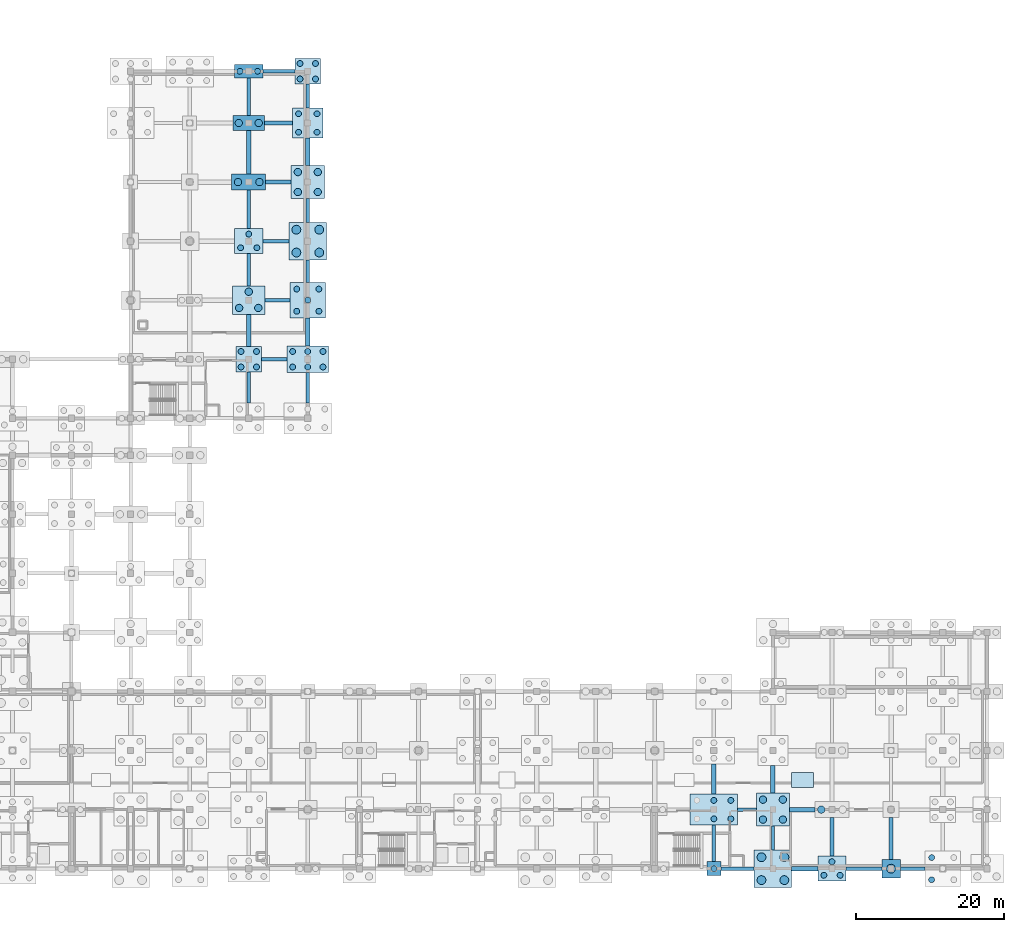
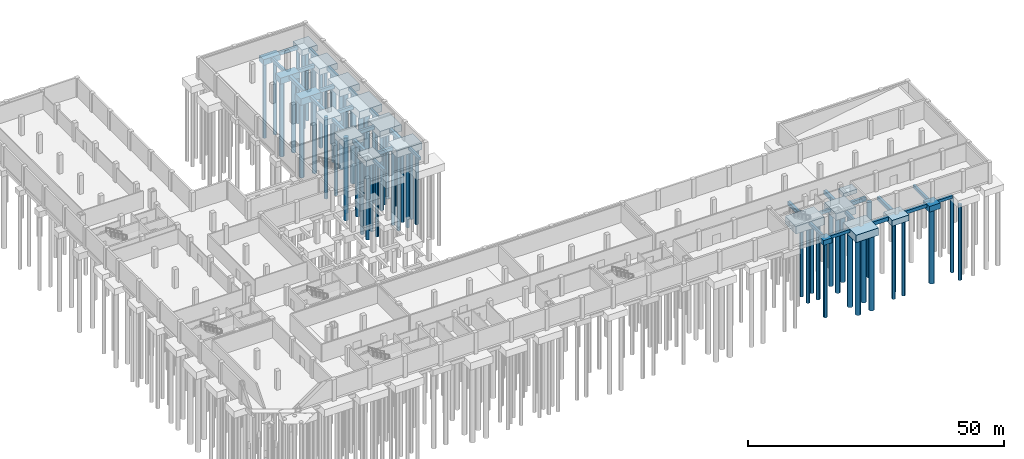
# One storey, part 8 of 26: 63 piles, 49 footings.
"""IFC4 building model written with IfcOpenShell, lengths in metres."""

from ifc_helpers import new_model, si_unit, direction, frame, origin, origin_2d, place, context, subcontext, project, spatial, rectangle, circle, extrude, material, layer, layer_set, material_profile, profile_set, type_object, element, save


model = new_model("IFC4")

# Units and contexts
model_context = context("Model", 3, precision=1e-05, world=origin(), true_north=direction((0.0, 1.0)))
body_context = subcontext(model_context, "Body", "Model", "MODEL_VIEW")
ifc_project = project(units=[si_unit("LENGTHUNIT", "METRE"), si_unit("AREAUNIT", "SQUARE_METRE"), si_unit("VOLUMEUNIT", "CUBIC_METRE"), si_unit("PLANEANGLEUNIT", "RADIAN"), si_unit("MASSUNIT", "GRAM", prefix="KILO")], contexts=[model_context])

# Site, building, storey
site_placement = place(None, origin())
site = spatial("IfcSite", under=ifc_project, at=site_placement, CompositionType="ELEMENT")
building_placement = place(site_placement, origin())
building = spatial("IfcBuilding", under=site, at=building_placement, Name="Qorikala Patio Media Centre", CompositionType="ELEMENT")
storey_placement = place(building_placement, frame((0.0, 0.0, -4.5)))
storey = spatial("IfcBuildingStorey", under=building, at=storey_placement, Name="B1", CompositionType="ELEMENT", Elevation=-4.5)

# Footings
ifc_material = material(Name="Concrete C30/37", Category="concrete")
ifc_material_profile_1 = material_profile(ifc_material, rectangle(XDim=0.449951171875, YDim=0.699951171875, at=origin_2d()), Name="RC 450x700")
ifc_profile_set_1 = profile_set([ifc_material_profile_1], Name="Concrete C30/37")
footing_type_1 = type_object("IfcFootingType", Name="GB-450X700", PredefinedType="FOOTING_BEAM", material=ifc_profile_set_1)
footing_1_placement = place(storey_placement, frame((130.949951171875, 3.0, -0.949951171875), z_axis=(1.0, 0.0, 0.0), x_axis=(0.0, 1.0, 0.0)))
element("IfcFooting", 1, at=footing_1_placement, inside=storey, type_object=footing_type_1, Name="Ground Tie Beam X-017", PredefinedType="FOOTING_BEAM", context=body_context, shape_type="SweptSolid", body=[
    extrude(rectangle(XDim=0.449951171875, YDim=0.699951171875, at=origin_2d()), origin(), (0.0, 0.0, 1.0), 4.5),
])
footing_2_placement = place(storey_placement, frame((155.25, 3.0, -0.949951171875), z_axis=(1.0, 0.0, 0.0), x_axis=(0.0, 1.0, 0.0)))
element("IfcFooting", 2, at=footing_2_placement, inside=storey, type_object=footing_type_1, Name="Ground Tie Beam X-020", PredefinedType="FOOTING_BEAM", context=body_context, shape_type="SweptSolid", body=[
    extrude(rectangle(XDim=0.449951171875, YDim=0.699951171875, at=origin_2d()), origin(), (0.0, 0.0, 1.0), 3.35009765625),
])
footing_3_placement = place(storey_placement, frame((133.199951171875, 11.0, -0.949951171875), z_axis=(1.0, 0.0, 0.0), x_axis=(0.0, 1.0, 0.0)))
element("IfcFooting", 3, at=footing_3_placement, inside=storey, type_object=footing_type_1, Name="Ground Tie Beam X-038", PredefinedType="FOOTING_BEAM", context=body_context, shape_type="SweptSolid", body=[
    extrude(rectangle(XDim=0.449951171875, YDim=0.699951171875, at=origin_2d()), origin(), (0.0, 0.0, 1.0), 2.550048828125),
])
footing_4_placement = place(storey_placement, frame((67.0, 66.050048828125, -0.949951171875), z_axis=(0.0, 1.0, 0.0), x_axis=(-1.0, 0.0, 0.0)))
element("IfcFooting", 4, at=footing_4_placement, inside=storey, type_object=footing_type_1, Name="Ground Tie Beam Y-275", PredefinedType="FOOTING_BEAM", context=body_context, shape_type="SweptSolid", body=[
    extrude(rectangle(XDim=0.449951171875, YDim=0.699951171875, at=origin_2d()), origin(), (0.0, 0.0, 1.0), 4.199951171875),
])
footing_5_placement = place(storey_placement, frame((67.0, 89.699951171875, -0.949951171875), z_axis=(0.0, 1.0, 0.0), x_axis=(-1.0, 0.0, 0.0)))
element("IfcFooting", 5, at=footing_5_placement, inside=storey, type_object=footing_type_1, Name="Ground Tie Beam Y-278", PredefinedType="FOOTING_BEAM", context=body_context, shape_type="SweptSolid", body=[
    extrude(rectangle(XDim=0.449951171875, YDim=0.699951171875, at=origin_2d()), origin(), (0.0, 0.0, 1.0), 5.199951171875),
])
footing_6_placement = place(storey_placement, frame((75.0, 66.10009765625, -0.949951171875), z_axis=(0.0, 1.0, 0.0), x_axis=(-1.0, 0.0, 0.0)))
element("IfcFooting", 6, at=footing_6_placement, inside=storey, type_object=footing_type_1, Name="Ground Tie Beam Y-284", PredefinedType="FOOTING_BEAM", context=body_context, shape_type="SweptSolid", body=[
    extrude(rectangle(XDim=0.449951171875, YDim=0.699951171875, at=origin_2d()), origin(), (0.0, 0.0, 1.0), 4.099853515625),
])
footing_7_placement = place(storey_placement, frame((75.0, 90.550048828125, -0.949951171875), z_axis=(0.0, 1.0, 0.0), x_axis=(-1.0, 0.0, 0.0)))
element("IfcFooting", 7, at=footing_7_placement, inside=storey, type_object=footing_type_1, Name="Ground Tie Beam Y-287", PredefinedType="FOOTING_BEAM", context=body_context, shape_type="SweptSolid", body=[
    extrude(rectangle(XDim=0.449951171875, YDim=0.699951171875, at=origin_2d()), origin(), (0.0, 0.0, 1.0), 3.199951171875),
])
footing_8_placement = place(storey_placement, frame((130.0, 3.949951171875, -0.949951171875), z_axis=(0.0, 1.0, 0.0), x_axis=(-1.0, 0.0, 0.0)))
element("IfcFooting", 8, at=footing_8_placement, inside=storey, type_object=footing_type_1, Name="Ground Tie Beam Y-308", PredefinedType="FOOTING_BEAM", context=body_context, shape_type="SweptSolid", body=[
    extrude(rectangle(XDim=0.449951171875, YDim=0.699951171875, at=origin_2d()), origin(), (0.0, 0.0, 1.0), 4.949951171875),
])
footing_9_placement = place(storey_placement, frame((138.0, 5.550048828125, -0.949951171875), z_axis=(0.0, 1.0, 0.0), x_axis=(-1.0, 0.0, 0.0)))
element("IfcFooting", 9, at=footing_9_placement, inside=storey, type_object=footing_type_1, Name="Ground Tie Beam Y-311", PredefinedType="FOOTING_BEAM", context=body_context, shape_type="SweptSolid", body=[
    extrude(rectangle(XDim=0.449951171875, YDim=0.699951171875, at=origin_2d()), origin(), (0.0, 0.0, 1.0), 3.199951171875),
])
ifc_material_profile_2 = material_profile(ifc_material, rectangle(XDim=0.5, YDim=0.800048828125, at=origin_2d()), Name="RC 500x800")
ifc_profile_set_2 = profile_set([ifc_material_profile_2], Name="Concrete C30/37")
footing_type_2 = type_object("IfcFootingType", Name="GB-500X800", PredefinedType="FOOTING_BEAM", material=ifc_profile_set_2)
footing_10_placement = place(storey_placement, frame((147.89990234375, 3.0, -1.0), z_axis=(1.0, 0.0, 0.0), x_axis=(0.0, 1.0, 0.0)))
element("IfcFooting", 10, at=footing_10_placement, inside=storey, type_object=footing_type_2, Name="Ground Tie Beam X-019", PredefinedType="FOOTING_BEAM", context=body_context, shape_type="SweptSolid", body=[
    extrude(rectangle(XDim=0.5, YDim=0.800048828125, at=origin_2d()), origin(), (0.0, 0.0, 1.0), 4.85009765625),
])
footing_11_placement = place(storey_placement, frame((68.75, 72.0, -1.0), z_axis=(1.0, 0.0, 0.0), x_axis=(0.0, 1.0, 0.0)))
element("IfcFooting", 11, at=footing_11_placement, inside=storey, type_object=footing_type_2, Name="Ground Tie Beam X-133", PredefinedType="FOOTING_BEAM", context=body_context, shape_type="SweptSolid", body=[
    extrude(rectangle(XDim=0.5, YDim=0.800048828125, at=origin_2d()), origin(), (0.0, 0.0, 1.0), 3.449951171875),
])
footing_12_placement = place(storey_placement, frame((69.199951171875, 80.0, -1.0), z_axis=(1.0, 0.0, 0.0), x_axis=(0.0, 1.0, 0.0)))
element("IfcFooting", 12, at=footing_12_placement, inside=storey, type_object=footing_type_2, Name="Ground Tie Beam X-139", PredefinedType="FOOTING_BEAM", context=body_context, shape_type="SweptSolid", body=[
    extrude(rectangle(XDim=0.5, YDim=0.800048828125, at=origin_2d()), origin(), (0.0, 0.0, 1.0), 3.400146484375),
])
footing_13_placement = place(storey_placement, frame((68.89990234375, 88.0, -1.0), z_axis=(1.0, 0.0, 0.0), x_axis=(0.0, 1.0, 0.0)))
element("IfcFooting", 13, at=footing_13_placement, inside=storey, type_object=footing_type_2, Name="Ground Tie Beam X-145", PredefinedType="FOOTING_BEAM", context=body_context, shape_type="SweptSolid", body=[
    extrude(rectangle(XDim=0.5, YDim=0.800048828125, at=origin_2d()), origin(), (0.0, 0.0, 1.0), 3.550048828125),
])
footing_14_placement = place(storey_placement, frame((69.300048828125, 96.0, -1.0), z_axis=(1.0, 0.0, 0.0), x_axis=(0.0, 1.0, 0.0)))
element("IfcFooting", 14, at=footing_14_placement, inside=storey, type_object=footing_type_2, Name="Ground Tie Beam X-151", PredefinedType="FOOTING_BEAM", context=body_context, shape_type="SweptSolid", body=[
    extrude(rectangle(XDim=0.5, YDim=0.800048828125, at=origin_2d()), origin(), (0.0, 0.0, 1.0), 3.449951171875),
])
footing_15_placement = place(storey_placement, frame((69.14990234375, 104.0, -1.0), z_axis=(1.0, 0.0, 0.0), x_axis=(0.0, 1.0, 0.0)))
element("IfcFooting", 15, at=footing_15_placement, inside=storey, type_object=footing_type_2, Name="Ground Tie Beam X-157", PredefinedType="FOOTING_BEAM", context=body_context, shape_type="SweptSolid", body=[
    extrude(rectangle(XDim=0.5, YDim=0.800048828125, at=origin_2d()), origin(), (0.0, 0.0, 1.0), 3.800048828125),
])
for number, where, z_axis, x_axis, name in (
    (16, (68.89990234375, 111.0, -1.0), (1.0, 0.0, 0.0), (0.0, 1.0, 0.0), "Ground Tie Beam X-163"),
    (17, (67.0, 81.949951171875, -1.0), (0.0, 1.0, 0.0), (-1.0, 0.0, 0.0), "Ground Tie Beam Y-277"),
):
    element("IfcFooting", number, at=place(storey_placement, frame(where, z_axis=z_axis, x_axis=x_axis)), inside=storey, type_object=footing_type_2, Name=name, PredefinedType="FOOTING_BEAM", context=body_context, shape_type="SweptSolid", body=[
        extrude(rectangle(XDim=0.5, YDim=0.800048828125, at=origin_2d()), origin(), (0.0, 0.0, 1.0), 4.35009765625),
    ])
footing_16_placement = place(storey_placement, frame((67.0, 105.0, -1.0), z_axis=(0.0, 1.0, 0.0), x_axis=(-1.0, 0.0, 0.0)))
element("IfcFooting", 18, at=footing_16_placement, inside=storey, type_object=footing_type_2, Name="Ground Tie Beam Y-280", PredefinedType="FOOTING_BEAM", context=body_context, shape_type="SweptSolid", body=[
    extrude(rectangle(XDim=0.5, YDim=0.800048828125, at=origin_2d()), origin(), (0.0, 0.0, 1.0), 5.10009765625),
])
footing_17_placement = place(storey_placement, frame((75.0, 82.39990234375, -1.0), z_axis=(0.0, 1.0, 0.0), x_axis=(-1.0, 0.0, 0.0)))
element("IfcFooting", 19, at=footing_17_placement, inside=storey, type_object=footing_type_2, Name="Ground Tie Beam Y-286", PredefinedType="FOOTING_BEAM", context=body_context, shape_type="SweptSolid", body=[
    extrude(rectangle(XDim=0.5, YDim=0.800048828125, at=origin_2d()), origin(), (0.0, 0.0, 1.0), 3.050048828125),
])
footing_18_placement = place(storey_placement, frame((75.0, 106.050048828125, -1.0), z_axis=(0.0, 1.0, 0.0), x_axis=(-1.0, 0.0, 0.0)))
element("IfcFooting", 20, at=footing_18_placement, inside=storey, type_object=footing_type_2, Name="Ground Tie Beam Y-289", PredefinedType="FOOTING_BEAM", context=body_context, shape_type="SweptSolid", body=[
    extrude(rectangle(XDim=0.5, YDim=0.800048828125, at=origin_2d()), origin(), (0.0, 0.0, 1.0), 3.199951171875),
])
footing_19_placement = place(storey_placement, frame((154.0, 4.25, -1.0), z_axis=(0.0, 1.0, 0.0), x_axis=(-1.0, 0.0, 0.0)))
element("IfcFooting", 21, at=footing_19_placement, inside=storey, type_object=footing_type_2, Name="Ground Tie Beam Y-319", PredefinedType="FOOTING_BEAM", context=body_context, shape_type="SweptSolid", body=[
    extrude(rectangle(XDim=0.5, YDim=0.800048828125, at=origin_2d()), origin(), (0.0, 0.0, 1.0), 5.64990234375),
])
ifc_material_profile_3 = material_profile(ifc_material, rectangle(XDim=0.60009765625, YDim=0.89990234375, at=origin_2d()), Name="RC 600x900")
ifc_profile_set_3 = profile_set([ifc_material_profile_3], Name="Concrete C30/37")
footing_type_3 = type_object("IfcFootingType", Name="GB-600X900", PredefinedType="FOOTING_BEAM", material=ifc_profile_set_3)
footing_20_placement = place(storey_placement, frame((140.550048828125, 3.0, -1.050048828125), z_axis=(1.0, 0.0, 0.0), x_axis=(0.0, 1.0, 0.0)))
element("IfcFooting", 22, at=footing_20_placement, inside=storey, type_object=footing_type_3, Name="Ground Tie Beam X-018", PredefinedType="FOOTING_BEAM", context=body_context, shape_type="SweptSolid", body=[
    extrude(rectangle(XDim=0.60009765625, YDim=0.89990234375, at=origin_2d()), origin(), (0.0, 0.0, 1.0), 3.550048828125),
])
footing_21_placement = place(storey_placement, frame((140.25, 11.0, -1.050048828125), z_axis=(1.0, 0.0, 0.0), x_axis=(0.0, 1.0, 0.0)))
element("IfcFooting", 23, at=footing_21_placement, inside=storey, type_object=footing_type_3, Name="Ground Tie Beam X-039", PredefinedType="FOOTING_BEAM", context=body_context, shape_type="SweptSolid", body=[
    extrude(rectangle(XDim=0.60009765625, YDim=0.89990234375, at=origin_2d()), origin(), (0.0, 0.0, 1.0), 3.449951171875),
])
footing_22_placement = place(storey_placement, frame((67.0, 73.75, -1.050048828125), z_axis=(0.0, 1.0, 0.0), x_axis=(-1.0, 0.0, 0.0)))
element("IfcFooting", 24, at=footing_22_placement, inside=storey, type_object=footing_type_3, Name="Ground Tie Beam Y-276", PredefinedType="FOOTING_BEAM", context=body_context, shape_type="SweptSolid", body=[
    extrude(rectangle(XDim=0.60009765625, YDim=0.89990234375, at=origin_2d()), origin(), (0.0, 0.0, 1.0), 4.300048828125),
])
footing_23_placement = place(storey_placement, frame((67.0, 97.10009765625, -1.050048828125), z_axis=(0.0, 1.0, 0.0), x_axis=(-1.0, 0.0, 0.0)))
element("IfcFooting", 25, at=footing_23_placement, inside=storey, type_object=footing_type_3, Name="Ground Tie Beam Y-279", PredefinedType="FOOTING_BEAM", context=body_context, shape_type="SweptSolid", body=[
    extrude(rectangle(XDim=0.60009765625, YDim=0.89990234375, at=origin_2d()), origin(), (0.0, 0.0, 1.0), 5.89990234375),
])
footing_24_placement = place(storey_placement, frame((75.0, 73.800048828125, -1.050048828125), z_axis=(0.0, 1.0, 0.0), x_axis=(-1.0, 0.0, 0.0)))
element("IfcFooting", 26, at=footing_24_placement, inside=storey, type_object=footing_type_3, Name="Ground Tie Beam Y-285", PredefinedType="FOOTING_BEAM", context=body_context, shape_type="SweptSolid", body=[
    extrude(rectangle(XDim=0.60009765625, YDim=0.89990234375, at=origin_2d()), origin(), (0.0, 0.0, 1.0), 3.800048828125),
])
footing_25_placement = place(storey_placement, frame((75.0, 98.25, -1.050048828125), z_axis=(0.0, 1.0, 0.0), x_axis=(-1.0, 0.0, 0.0)))
element("IfcFooting", 27, at=footing_25_placement, inside=storey, type_object=footing_type_3, Name="Ground Tie Beam Y-288", PredefinedType="FOOTING_BEAM", context=body_context, shape_type="SweptSolid", body=[
    extrude(rectangle(XDim=0.60009765625, YDim=0.89990234375, at=origin_2d()), origin(), (0.0, 0.0, 1.0), 3.699951171875),
])
footing_26_placement = place(storey_placement, frame((130.0, 13.10009765625, -1.050048828125), z_axis=(0.0, 1.0, 0.0), x_axis=(-1.0, 0.0, 0.0)))
element("IfcFooting", 28, at=footing_26_placement, inside=storey, type_object=footing_type_3, Name="Ground Tie Beam Y-309", PredefinedType="FOOTING_BEAM", context=body_context, shape_type="SweptSolid", body=[
    extrude(rectangle(XDim=0.60009765625, YDim=0.89990234375, at=origin_2d()), origin(), (0.0, 0.0, 1.0), 4.099853515625),
])
footing_27_placement = place(storey_placement, frame((138.0, 13.25, -1.050048828125), z_axis=(0.0, 1.0, 0.0), x_axis=(-1.0, 0.0, 0.0)))
element("IfcFooting", 29, at=footing_27_placement, inside=storey, type_object=footing_type_3, Name="Ground Tie Beam Y-312", PredefinedType="FOOTING_BEAM", context=body_context, shape_type="SweptSolid", body=[
    extrude(rectangle(XDim=0.60009765625, YDim=0.89990234375, at=origin_2d()), origin(), (0.0, 0.0, 1.0), 3.699951171875),
])
footing_28_placement = place(storey_placement, frame((146.0, 4.699951171875, -1.050048828125), z_axis=(0.0, 1.0, 0.0), x_axis=(-1.0, 0.0, 0.0)))
element("IfcFooting", 30, at=footing_28_placement, inside=storey, type_object=footing_type_3, Name="Ground Tie Beam Y-315", PredefinedType="FOOTING_BEAM", context=body_context, shape_type="SweptSolid", body=[
    extrude(rectangle(XDim=0.60009765625, YDim=0.89990234375, at=origin_2d()), origin(), (0.0, 0.0, 1.0), 5.199951171875),
])
ifc_layer_1 = layer(ifc_material, 1.14990234375)
ifc_layer_set_1 = layer_set([ifc_layer_1], Name="Concrete C30/37")
footing_type_4 = type_object("IfcFootingType", Name="PC-1A", PredefinedType="PILE_CAP", material=ifc_layer_set_1)
footing_29_placement = place(storey_placement, frame((130.0, 3.0, -1.75), z_axis=(0.0, 0.0, 1.0), x_axis=(1.0, 0.0, 0.0)))
element("IfcFooting", 31, at=footing_29_placement, inside=storey, type_object=footing_type_4, Name="Pile Cap PC-1A at (130.0,3.0)", PredefinedType="PILE_CAP", context=body_context, shape_type="SweptSolid", body=[
    extrude(rectangle(XDim=1.89990234375, YDim=1.89990234375, at=origin_2d()), origin(), (0.0, 0.0, 1.0), 1.14990234375),
])
ifc_layer_2 = layer(ifc_material, 1.35009765625)
ifc_layer_set_2 = layer_set([ifc_layer_2], Name="Concrete C30/37")
footing_type_5 = type_object("IfcFootingType", Name="PC-1C", PredefinedType="PILE_CAP", material=ifc_layer_set_2)
footing_30_placement = place(storey_placement, frame((154.0, 3.0, -1.949951171875), z_axis=(0.0, 0.0, 1.0), x_axis=(1.0, 0.0, 0.0)))
element("IfcFooting", 32, at=footing_30_placement, inside=storey, type_object=footing_type_5, Name="Pile Cap PC-1C at (154.0,3.0)", PredefinedType="PILE_CAP", context=body_context, shape_type="SweptSolid", body=[
    extrude(rectangle(XDim=2.5, YDim=2.5, at=origin_2d()), origin(), (0.0, 0.0, 1.0), 1.35009765625),
])
ifc_layer_3 = layer(ifc_material, 1.35009765625)
ifc_layer_set_3 = layer_set([ifc_layer_3], Name="Concrete C30/37")
footing_type_6 = type_object("IfcFootingType", Name="PC-2B", PredefinedType="PILE_CAP", material=ifc_layer_set_3)
footing_31_placement = place(storey_placement, frame((67.0, 111.0, -1.949951171875), z_axis=(0.0, 0.0, 1.0), x_axis=(1.0, 0.0, 0.0)))
element("IfcFooting", 33, at=footing_31_placement, inside=storey, type_object=footing_type_6, Name="Pile Cap PC-2B at (67.0,111.0)", PredefinedType="PILE_CAP", context=body_context, shape_type="SweptSolid", body=[
    extrude(rectangle(XDim=3.800048828125, YDim=1.800048828125, at=origin_2d()), origin(), (0.0, 0.0, 1.0), 1.35009765625),
])
ifc_layer_4 = layer(ifc_material, 1.449951171875)
ifc_layer_set_4 = layer_set([ifc_layer_4], Name="Concrete C30/37")
footing_type_7 = type_object("IfcFootingType", Name="PC-2C", PredefinedType="PILE_CAP", material=ifc_layer_set_4)
footing_32_placement = place(storey_placement, frame((67.0, 104.0, -2.0498046875), z_axis=(0.0, 0.0, 1.0), x_axis=(1.0, 0.0, 0.0)))
element("IfcFooting", 34, at=footing_32_placement, inside=storey, type_object=footing_type_7, Name="Pile Cap PC-2C at (67.0,104.0)", PredefinedType="PILE_CAP", context=body_context, shape_type="SweptSolid", body=[
    extrude(rectangle(XDim=4.300048828125, YDim=2.0, at=origin_2d()), origin(), (0.0, 0.0, 1.0), 1.449951171875),
])
ifc_layer_5 = layer(ifc_material, 1.550048828125)
ifc_layer_set_5 = layer_set([ifc_layer_5], Name="Concrete C30/37")
footing_type_8 = type_object("IfcFootingType", Name="PC-2D", PredefinedType="PILE_CAP", material=ifc_layer_set_5)
footing_33_placement = place(storey_placement, frame((67.0, 96.0, -2.14990234375), z_axis=(0.0, 0.0, 1.0), x_axis=(1.0, 0.0, 0.0)))
element("IfcFooting", 35, at=footing_33_placement, inside=storey, type_object=footing_type_8, Name="Pile Cap PC-2D at (67.0,96.0)", PredefinedType="PILE_CAP", context=body_context, shape_type="SweptSolid", body=[
    extrude(rectangle(XDim=4.60009765625, YDim=2.199951171875, at=origin_2d()), origin(), (0.0, 0.0, 1.0), 1.550048828125),
])
ifc_layer_6 = layer(ifc_material, 1.39990234375)
ifc_layer_set_6 = layer_set([ifc_layer_6], Name="Concrete C30/37")
footing_type_9 = type_object("IfcFootingType", Name="PC-3A", PredefinedType="PILE_CAP", material=ifc_layer_set_6)
for number, where, z_axis, x_axis, name in (
    (36, (67.0, 88.0, -2.0), (0.0, 0.0, 1.0), (1.0, 0.0, 0.0), "Pile Cap PC-3A at (67.0,88.0)"),
    (37, (146.0, 3.0, -2.0), (0.0, 0.0, 1.0), (1.0, 0.0, 0.0), "Pile Cap PC-3A at (146.0,3.0)"),
):
    element("IfcFooting", number, at=place(storey_placement, frame(where, z_axis=z_axis, x_axis=x_axis)), inside=storey, type_object=footing_type_9, Name=name, PredefinedType="PILE_CAP", context=body_context, shape_type="SweptSolid", body=[
        extrude(rectangle(XDim=3.800048828125, YDim=3.39990234375, at=origin_2d()), origin(), (0.0, 0.0, 1.0), 1.39990234375),
    ])
ifc_layer_7 = layer(ifc_material, 1.5)
ifc_layer_set_7 = layer_set([ifc_layer_7], Name="Concrete C30/37")
footing_type_10 = type_object("IfcFootingType", Name="PC-3B", PredefinedType="PILE_CAP", material=ifc_layer_set_7)
footing_34_placement = place(storey_placement, frame((67.0, 80.0, -2.10009765625), z_axis=(0.0, 0.0, 1.0), x_axis=(1.0, 0.0, 0.0)))
element("IfcFooting", 38, at=footing_34_placement, inside=storey, type_object=footing_type_10, Name="Pile Cap PC-3B at (67.0,80.0)", PredefinedType="PILE_CAP", context=body_context, shape_type="SweptSolid", body=[
    extrude(rectangle(XDim=4.39990234375, YDim=3.89990234375, at=origin_2d()), origin(), (0.0, 0.0, 1.0), 1.5),
])
ifc_layer_8 = layer(ifc_material, 1.39990234375)
ifc_layer_set_8 = layer_set([ifc_layer_8], Name="Concrete C30/37")
footing_type_11 = type_object("IfcFootingType", Name="PC-4A", PredefinedType="PILE_CAP", material=ifc_layer_set_8)
for number, where, z_axis, x_axis, name in (
    (39, (67.0, 72.0, -2.0), (0.0, 0.0, 1.0), (1.0, 0.0, 0.0), "Pile Cap PC-4A at (67.0,72.0)"),
    (40, (75.0, 111.0, -2.0), (0.0, 0.0, 1.0), (1.0, 0.0, 0.0), "Pile Cap PC-4A at (75.0,111.0)"),
):
    element("IfcFooting", number, at=place(storey_placement, frame(where, z_axis=z_axis, x_axis=x_axis)), inside=storey, type_object=footing_type_11, Name=name, PredefinedType="PILE_CAP", context=body_context, shape_type="SweptSolid", body=[
        extrude(rectangle(XDim=3.5, YDim=3.5, at=origin_2d()), origin(), (0.0, 0.0, 1.0), 1.39990234375),
    ])
ifc_layer_9 = layer(ifc_material, 1.5)
ifc_layer_set_9 = layer_set([ifc_layer_9], Name="Concrete C30/37")
footing_type_12 = type_object("IfcFootingType", Name="PC-4B", PredefinedType="PILE_CAP", material=ifc_layer_set_9)
footing_35_placement = place(storey_placement, frame((75.0, 104.0, -2.10009765625), z_axis=(0.0, 0.0, 1.0), x_axis=(1.0, 0.0, 0.0)))
element("IfcFooting", 41, at=footing_35_placement, inside=storey, type_object=footing_type_12, Name="Pile Cap PC-4B at (75.0,104.0)", PredefinedType="PILE_CAP", context=body_context, shape_type="SweptSolid", body=[
    extrude(rectangle(XDim=4.10009765625, YDim=4.10009765625, at=origin_2d()), origin(), (0.0, 0.0, 1.0), 1.5),
])
ifc_layer_10 = layer(ifc_material, 1.60009765625)
ifc_layer_set_10 = layer_set([ifc_layer_10], Name="Concrete C30/37")
footing_type_13 = type_object("IfcFootingType", Name="PC-4C", PredefinedType="PILE_CAP", material=ifc_layer_set_10)
for number, where, z_axis, x_axis, name in (
    (42, (75.0, 96.0, -2.199951171875), (0.0, 0.0, 1.0), (1.0, 0.0, 0.0), "Pile Cap PC-4C at (75.0,96.0)"),
    (43, (138.0, 11.0, -2.199951171875), (0.0, 0.0, 1.0), (1.0, 0.0, 0.0), "Pile Cap PC-4C at (138.0,11.0)"),
):
    element("IfcFooting", number, at=place(storey_placement, frame(where, z_axis=z_axis, x_axis=x_axis)), inside=storey, type_object=footing_type_13, Name=name, PredefinedType="PILE_CAP", context=body_context, shape_type="SweptSolid", body=[
        extrude(rectangle(XDim=4.5, YDim=4.5, at=origin_2d()), origin(), (0.0, 0.0, 1.0), 1.60009765625),
    ])
ifc_layer_11 = layer(ifc_material, 1.75)
ifc_layer_set_11 = layer_set([ifc_layer_11], Name="Concrete C30/37")
footing_type_14 = type_object("IfcFootingType", Name="PC-4D", PredefinedType="PILE_CAP", material=ifc_layer_set_11)
for number, where, z_axis, x_axis, name in (
    (44, (75.0, 88.0, -2.35009765625), (0.0, 0.0, 1.0), (1.0, 0.0, 0.0), "Pile Cap PC-4D at (75.0,88.0)"),
    (45, (138.0, 3.0, -2.35009765625), (0.0, 0.0, 1.0), (1.0, 0.0, 0.0), "Pile Cap PC-4D at (138.0,3.0)"),
):
    element("IfcFooting", number, at=place(storey_placement, frame(where, z_axis=z_axis, x_axis=x_axis)), inside=storey, type_object=footing_type_14, Name=name, PredefinedType="PILE_CAP", context=body_context, shape_type="SweptSolid", body=[
        extrude(rectangle(XDim=5.10009765625, YDim=5.10009765625, at=origin_2d()), origin(), (0.0, 0.0, 1.0), 1.75),
    ])
ifc_layer_12 = layer(ifc_material, 1.64990234375)
ifc_layer_set_12 = layer_set([ifc_layer_12], Name="Concrete C30/37")
footing_type_15 = type_object("IfcFootingType", Name="PC-5A", PredefinedType="PILE_CAP", material=ifc_layer_set_12)
footing_36_placement = place(storey_placement, frame((75.0, 80.0, -2.25), z_axis=(0.0, 0.0, 1.0), x_axis=(1.0, 0.0, 0.0)))
element("IfcFooting", 46, at=footing_36_placement, inside=storey, type_object=footing_type_15, Name="Pile Cap PC-5A at (75.0,80.0)", PredefinedType="PILE_CAP", context=body_context, shape_type="SweptSolid", body=[
    extrude(rectangle(XDim=4.800048828125, YDim=4.800048828125, at=origin_2d()), origin(), (0.0, 0.0, 1.0), 1.64990234375),
])
ifc_layer_13 = layer(ifc_material, 1.64990234375)
ifc_layer_set_13 = layer_set([ifc_layer_13], Name="Concrete C30/37")
footing_type_16 = type_object("IfcFootingType", Name="PC-6A", PredefinedType="PILE_CAP", material=ifc_layer_set_13)
footing_37_placement = place(storey_placement, frame((75.0, 72.0, -2.25), z_axis=(0.0, 0.0, 1.0), x_axis=(1.0, 0.0, 0.0)))
element("IfcFooting", 47, at=footing_37_placement, inside=storey, type_object=footing_type_16, Name="Pile Cap PC-6A at (75.0,72.0)", PredefinedType="PILE_CAP", context=body_context, shape_type="SweptSolid", body=[
    extrude(rectangle(XDim=5.60009765625, YDim=3.60009765625, at=origin_2d()), origin(), (0.0, 0.0, 1.0), 1.64990234375),
])
ifc_layer_14 = layer(ifc_material, 1.800048828125)
ifc_layer_set_14 = layer_set([ifc_layer_14], Name="Concrete C30/37")
footing_type_17 = type_object("IfcFootingType", Name="PC-6B", PredefinedType="PILE_CAP", material=ifc_layer_set_14)
footing_38_placement = place(storey_placement, frame((130.0, 11.0, -2.39990234375), z_axis=(0.0, 0.0, 1.0), x_axis=(1.0, 0.0, 0.0)))
element("IfcFooting", 48, at=footing_38_placement, inside=storey, type_object=footing_type_17, Name="Pile Cap PC-6B at (130.0,11.0)", PredefinedType="PILE_CAP", context=body_context, shape_type="SweptSolid", body=[
    extrude(rectangle(XDim=6.39990234375, YDim=4.199951171875, at=origin_2d()), origin(), (0.0, 0.0, 1.0), 1.800048828125),
])
ifc_layer_15 = layer(ifc_material, 0.89990234375)
ifc_layer_set_15 = layer_set([ifc_layer_15], Name="Concrete C30/37")
footing_type_18 = type_object("IfcFootingType", Name="PF-300", PredefinedType="PAD_FOOTING", material=ifc_layer_set_15)
footing_39_placement = place(storey_placement, frame((142.0, 15.0, -1.5), z_axis=(0.0, 0.0, 1.0), x_axis=(1.0, 0.0, 0.0)))
element("IfcFooting", 49, at=footing_39_placement, inside=storey, type_object=footing_type_18, Name="Courtyard Pad Footing 08", PredefinedType="PAD_FOOTING", context=body_context, shape_type="SweptSolid", body=[
    extrude(rectangle(XDim=3.0, YDim=2.0, at=origin_2d()), origin(), (0.0, 0.0, 1.0), 0.89990234375),
])

# Piles
ifc_material_profile_4 = material_profile(ifc_material, circle(Radius=0.5, at=origin_2d()), Name="BORED PILE 1000")
ifc_profile_set_4 = profile_set([ifc_material_profile_4], Name="Concrete C30/37")
pile_type_1 = type_object("IfcPileType", Name="PILE-1000", PredefinedType="BORED", material=ifc_profile_set_4)
for number, where, z_axis, x_axis, name in (
    (50, (65.699951171875, 78.949951171875, -2.0), (0.0, 0.0, -1.0), (1.0, 0.0, 0.0), "Bored Pile 0383"),
    (51, (68.300048828125, 78.949951171875, -2.0), (0.0, 0.0, -1.0), (1.0, 0.0, 0.0), "Bored Pile 0384"),
    (52, (67.0, 81.14990234375, -2.0), (0.0, 0.0, -1.0), (1.0, 0.0, 0.0), "Bored Pile 0385"),
    (53, (65.550048828125, 96.0, -2.050048828125), (0.0, 0.0, -1.0), (1.0, 0.0, 0.0), "Bored Pile 0389"),
    (54, (68.449951171875, 96.0, -2.050048828125), (0.0, 0.0, -1.0), (1.0, 0.0, 0.0), "Bored Pile 0390"),
    (55, (65.64990234375, 104.0, -1.949951171875), (0.0, 0.0, -1.0), (1.0, 0.0, 0.0), "Bored Pile 0391"),
    (56, (68.35009765625, 104.0, -1.949951171875), (0.0, 0.0, -1.0), (1.0, 0.0, 0.0), "Bored Pile 0392"),
    (57, (73.64990234375, 94.64990234375, -2.10009765625), (0.0, 0.0, -1.0), (1.0, 0.0, 0.0), "Bored Pile 0421"),
    (58, (76.35009765625, 94.64990234375, -2.10009765625), (0.0, 0.0, -1.0), (1.0, 0.0, 0.0), "Bored Pile 0422"),
    (59, (73.64990234375, 97.35009765625, -2.10009765625), (0.0, 0.0, -1.0), (1.0, 0.0, 0.0), "Bored Pile 0423"),
    (60, (76.35009765625, 97.35009765625, -2.10009765625), (0.0, 0.0, -1.0), (1.0, 0.0, 0.0), "Bored Pile 0424"),
    (61, (136.64990234375, 9.64990234375, -2.10009765625), (0.0, 0.0, -1.0), (1.0, 0.0, 0.0), "Bored Pile 0521"),
    (62, (139.35009765625, 9.64990234375, -2.10009765625), (0.0, 0.0, -1.0), (1.0, 0.0, 0.0), "Bored Pile 0522"),
    (63, (136.64990234375, 12.35009765625, -2.10009765625), (0.0, 0.0, -1.0), (1.0, 0.0, 0.0), "Bored Pile 0523"),
    (64, (139.35009765625, 12.35009765625, -2.10009765625), (0.0, 0.0, -1.0), (1.0, 0.0, 0.0), "Bored Pile 0524"),
    (65, (144.550048828125, 11.0, -2.050048828125), (0.0, 0.0, -1.0), (1.0, 0.0, 0.0), "Bored Pile 0539"),
):
    element("IfcPile", number, at=place(storey_placement, frame(where, z_axis=z_axis, x_axis=x_axis)), inside=storey, type_object=pile_type_1, Name=name, PredefinedType="BORED", context=body_context, shape_type="SweptSolid", body=[
        extrude(circle(Radius=0.5, at=origin_2d()), origin(), (0.0, 0.0, 1.0), 18.0),
    ])
ifc_material_profile_5 = material_profile(ifc_material, circle(Radius=0.60009765625, at=origin_2d()), Name="BORED PILE 1200")
ifc_profile_set_5 = profile_set([ifc_material_profile_5], Name="Concrete C30/37")
pile_type_2 = type_object("IfcPileType", Name="PILE-1200", PredefinedType="BORED", material=ifc_profile_set_5)
for number, where, z_axis, x_axis, name in (
    (66, (73.449951171875, 86.449951171875, -2.25), (0.0, 0.0, -1.0), (1.0, 0.0, 0.0), "Bored Pile 0417"),
    (67, (76.550048828125, 86.449951171875, -2.25), (0.0, 0.0, -1.0), (1.0, 0.0, 0.0), "Bored Pile 0418"),
    (68, (73.449951171875, 89.550048828125, -2.25), (0.0, 0.0, -1.0), (1.0, 0.0, 0.0), "Bored Pile 0419"),
    (69, (76.550048828125, 89.550048828125, -2.25), (0.0, 0.0, -1.0), (1.0, 0.0, 0.0), "Bored Pile 0420"),
    (70, (136.449951171875, 1.449951171875, -2.25), (0.0, 0.0, -1.0), (1.0, 0.0, 0.0), "Bored Pile 0517"),
    (71, (139.550048828125, 1.449951171875, -2.25), (0.0, 0.0, -1.0), (1.0, 0.0, 0.0), "Bored Pile 0518"),
    (72, (136.449951171875, 4.550048828125, -2.25), (0.0, 0.0, -1.0), (1.0, 0.0, 0.0), "Bored Pile 0519"),
    (73, (139.550048828125, 4.550048828125, -2.25), (0.0, 0.0, -1.0), (1.0, 0.0, 0.0), "Bored Pile 0520"),
    (74, (154.0, 3.0, -1.85009765625), (0.0, 0.0, -1.0), (1.0, 0.0, 0.0), "Bored Pile 0547"),
):
    element("IfcPile", number, at=place(storey_placement, frame(where, z_axis=z_axis, x_axis=x_axis)), inside=storey, type_object=pile_type_2, Name=name, PredefinedType="BORED", context=body_context, shape_type="SweptSolid", body=[
        extrude(circle(Radius=0.60009765625, at=origin_2d()), origin(), (0.0, 0.0, 1.0), 18.0),
    ])
ifc_material_profile_6 = material_profile(ifc_material, circle(Radius=0.39990234375, at=origin_2d()), Name="BORED PILE 800")
ifc_profile_set_6 = profile_set([ifc_material_profile_6], Name="Concrete C30/37")
pile_type_3 = type_object("IfcPileType", Name="PILE-800", PredefinedType="BORED", material=ifc_profile_set_6)
for number, where, z_axis, x_axis, name in (
    (75, (65.949951171875, 70.949951171875, -1.89990234375), (0.0, 0.0, -1.0), (1.0, 0.0, 0.0), "Bored Pile 0379"),
    (76, (68.050048828125, 70.949951171875, -1.89990234375), (0.0, 0.0, -1.0), (1.0, 0.0, 0.0), "Bored Pile 0380"),
    (77, (65.949951171875, 73.050048828125, -1.89990234375), (0.0, 0.0, -1.0), (1.0, 0.0, 0.0), "Bored Pile 0381"),
    (78, (68.050048828125, 73.050048828125, -1.89990234375), (0.0, 0.0, -1.0), (1.0, 0.0, 0.0), "Bored Pile 0382"),
    (79, (65.89990234375, 87.10009765625, -1.89990234375), (0.0, 0.0, -1.0), (1.0, 0.0, 0.0), "Bored Pile 0386"),
    (80, (68.10009765625, 87.10009765625, -1.89990234375), (0.0, 0.0, -1.0), (1.0, 0.0, 0.0), "Bored Pile 0387"),
    (81, (67.0, 88.949951171875, -1.89990234375), (0.0, 0.0, -1.0), (1.0, 0.0, 0.0), "Bored Pile 0388"),
    (82, (65.800048828125, 111.0, -1.85009765625), (0.0, 0.0, -1.0), (1.0, 0.0, 0.0), "Bored Pile 0393"),
    (83, (68.199951171875, 111.0, -1.85009765625), (0.0, 0.0, -1.0), (1.0, 0.0, 0.0), "Bored Pile 0394"),
    (84, (72.949951171875, 70.949951171875, -2.14990234375), (0.0, 0.0, -1.0), (1.0, 0.0, 0.0), "Bored Pile 0406"),
    (85, (75.0, 70.949951171875, -2.14990234375), (0.0, 0.0, -1.0), (1.0, 0.0, 0.0), "Bored Pile 0407"),
    (86, (77.050048828125, 70.949951171875, -2.14990234375), (0.0, 0.0, -1.0), (1.0, 0.0, 0.0), "Bored Pile 0408"),
    (87, (72.949951171875, 73.050048828125, -2.14990234375), (0.0, 0.0, -1.0), (1.0, 0.0, 0.0), "Bored Pile 0409"),
    (88, (75.0, 73.050048828125, -2.14990234375), (0.0, 0.0, -1.0), (1.0, 0.0, 0.0), "Bored Pile 0410"),
    (89, (77.050048828125, 73.050048828125, -2.14990234375), (0.0, 0.0, -1.0), (1.0, 0.0, 0.0), "Bored Pile 0411"),
    (90, (73.5, 78.5, -2.14990234375), (0.0, 0.0, -1.0), (1.0, 0.0, 0.0), "Bored Pile 0412"),
    (91, (76.5, 78.5, -2.14990234375), (0.0, 0.0, -1.0), (1.0, 0.0, 0.0), "Bored Pile 0413"),
    (92, (75.0, 80.0, -2.14990234375), (0.0, 0.0, -1.0), (1.0, 0.0, 0.0), "Bored Pile 0414"),
    (93, (73.5, 81.5, -2.14990234375), (0.0, 0.0, -1.0), (1.0, 0.0, 0.0), "Bored Pile 0415"),
    (94, (76.5, 81.5, -2.14990234375), (0.0, 0.0, -1.0), (1.0, 0.0, 0.0), "Bored Pile 0416"),
    (95, (73.75, 102.75, -2.0), (0.0, 0.0, -1.0), (1.0, 0.0, 0.0), "Bored Pile 0425"),
    (96, (76.25, 102.75, -2.0), (0.0, 0.0, -1.0), (1.0, 0.0, 0.0), "Bored Pile 0426"),
    (97, (73.75, 105.25, -2.0), (0.0, 0.0, -1.0), (1.0, 0.0, 0.0), "Bored Pile 0427"),
    (98, (76.25, 105.25, -2.0), (0.0, 0.0, -1.0), (1.0, 0.0, 0.0), "Bored Pile 0428"),
    (99, (73.949951171875, 109.949951171875, -1.89990234375), (0.0, 0.0, -1.0), (1.0, 0.0, 0.0), "Bored Pile 0429"),
    (100, (76.050048828125, 109.949951171875, -1.89990234375), (0.0, 0.0, -1.0), (1.0, 0.0, 0.0), "Bored Pile 0430"),
    (101, (73.949951171875, 112.050048828125, -1.89990234375), (0.0, 0.0, -1.0), (1.0, 0.0, 0.0), "Bored Pile 0431"),
    (102, (76.050048828125, 112.050048828125, -1.89990234375), (0.0, 0.0, -1.0), (1.0, 0.0, 0.0), "Bored Pile 0432"),
    (103, (130.0, 3.0, -1.64990234375), (0.0, 0.0, -1.0), (1.0, 0.0, 0.0), "Bored Pile 0499"),
    (104, (130.0, 9.75, -2.300048828125), (0.0, 0.0, -1.0), (1.0, 0.0, 0.0), "Bored Pile 0501"),
    (105, (132.300048828125, 9.75, -2.300048828125), (0.0, 0.0, -1.0), (1.0, 0.0, 0.0), "Bored Pile 0502"),
    (106, (130.0, 12.25, -2.300048828125), (0.0, 0.0, -1.0), (1.0, 0.0, 0.0), "Bored Pile 0504"),
    (107, (132.300048828125, 12.25, -2.300048828125), (0.0, 0.0, -1.0), (1.0, 0.0, 0.0), "Bored Pile 0505"),
    (108, (144.89990234375, 2.10009765625, -1.89990234375), (0.0, 0.0, -1.0), (1.0, 0.0, 0.0), "Bored Pile 0536"),
    (109, (147.10009765625, 2.10009765625, -1.89990234375), (0.0, 0.0, -1.0), (1.0, 0.0, 0.0), "Bored Pile 0537"),
    (110, (146.0, 3.949951171875, -1.89990234375), (0.0, 0.0, -1.0), (1.0, 0.0, 0.0), "Bored Pile 0538"),
    (111, (159.5, 1.5, -2.14990234375), (0.0, 0.0, -1.0), (1.0, 0.0, 0.0), "Bored Pile 0562"),
    (112, (159.5, 4.5, -2.14990234375), (0.0, 0.0, -1.0), (1.0, 0.0, 0.0), "Bored Pile 0565"),
):
    element("IfcPile", number, at=place(storey_placement, frame(where, z_axis=z_axis, x_axis=x_axis)), inside=storey, type_object=pile_type_3, Name=name, PredefinedType="BORED", context=body_context, shape_type="SweptSolid", body=[
        extrude(circle(Radius=0.39990234375, at=origin_2d()), origin(), (0.0, 0.0, 1.0), 18.0),
    ])

save(model, "model.ifc")
